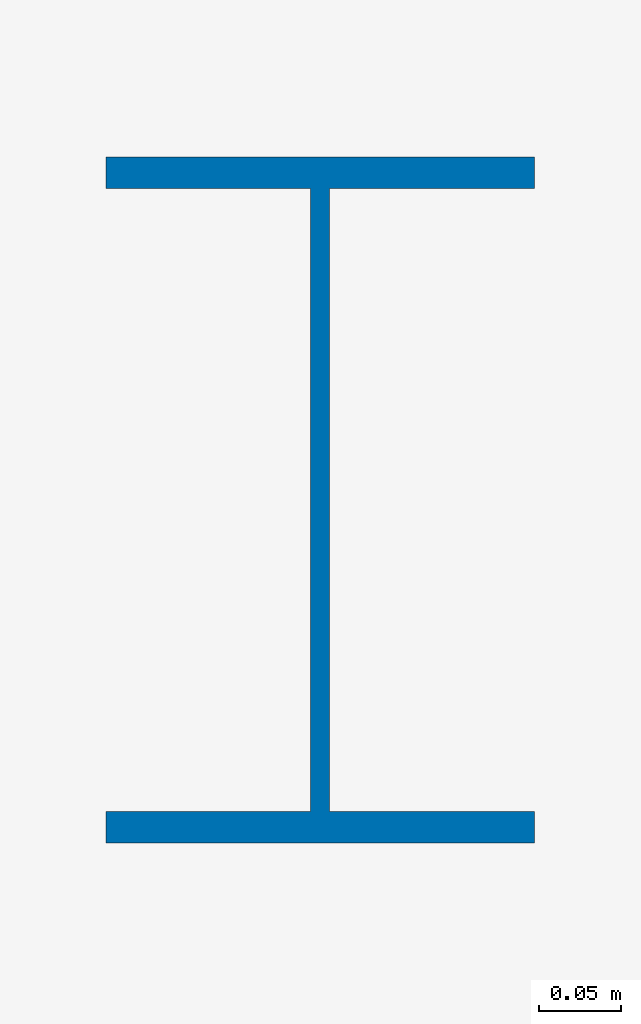
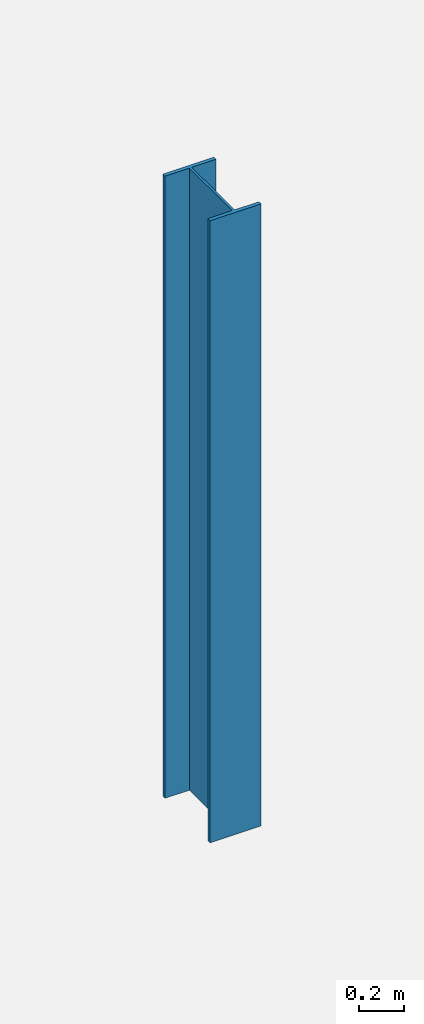
# One storey, part 4 of 34: 1 column.
"""IFC4 building model written with IfcOpenShell, lengths in metres."""

from ifc_helpers import new_model, si_unit, direction, frame, origin, origin_2d, place, context, subcontext, project, spatial, i_section, extrude, material, material_profile, profile_set, type_object, element, save


model = new_model("IFC4")

# Units and contexts
model_context = context("Model", 3, precision=1e-05, world=origin(), true_north=direction((0.0, 1.0)))
body_context = subcontext(model_context, "Body", "Model", "MODEL_VIEW")
ifc_project = project(units=[si_unit("LENGTHUNIT", "METRE"), si_unit("AREAUNIT", "SQUARE_METRE"), si_unit("VOLUMEUNIT", "CUBIC_METRE"), si_unit("PLANEANGLEUNIT", "RADIAN"), si_unit("MASSUNIT", "GRAM", prefix="KILO")], contexts=[model_context])

# Site, building, storey
site_placement = place(None, origin())
site = spatial("IfcSite", under=ifc_project, at=site_placement, CompositionType="ELEMENT")
building_placement = place(site_placement, origin())
building = spatial("IfcBuilding", under=site, at=building_placement, Name="Sollismere Congress Hotel", CompositionType="ELEMENT")
storey_placement = place(building_placement, frame((0.0, 0.0, 23.39990234375)))
storey = spatial("IfcBuildingStorey", under=building, at=storey_placement, Name="L05", CompositionType="ELEMENT", Elevation=23.39990234375)

# Column
ifc_material = material(Name="Steel ASTM A992 Grade 50", Category="steel")
ifc_material_profile = material_profile(ifc_material, i_section(OverallWidth=0.261962890625, OverallDepth=0.4189453125, WebThickness=0.01171875, FlangeThickness=0.019287109375, at=origin_2d()), Name="W16X77")
ifc_profile_set = profile_set([ifc_material_profile], Name="Steel ASTM A992 Grade 50")
column_type = type_object("IfcColumnType", Name="COL-W16", PredefinedType="COLUMN", material=ifc_profile_set)
column_placement = place(storey_placement, frame((112.0, 95.0, 0.0), z_axis=(0.0, 0.0, 1.0), x_axis=(1.0, 0.0, 0.0)))
element("IfcColumn", 1, at=column_placement, inside=storey, type_object=column_type, Name="Column CL-L05-643", PredefinedType="COLUMN", context=body_context, shape_type="SweptSolid", body=[
    extrude(i_section(OverallWidth=0.261962890625, OverallDepth=0.4189453125, WebThickness=0.01171875, FlangeThickness=0.019287109375, at=origin_2d()), origin(), (0.0, 0.0, 1.0), 3.380126953125),
])

save(model, "model.ifc")
